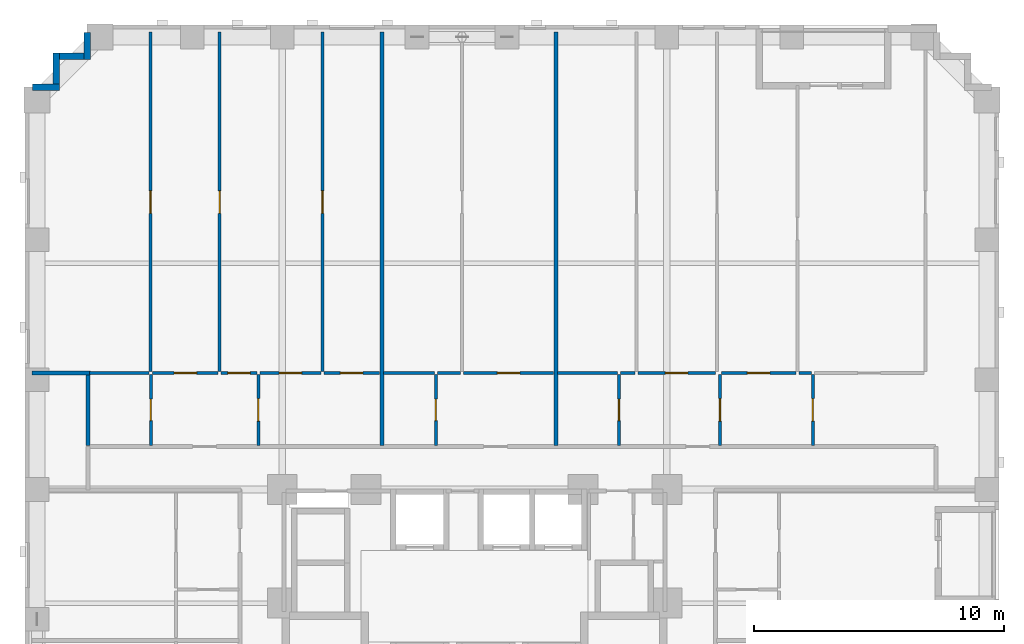
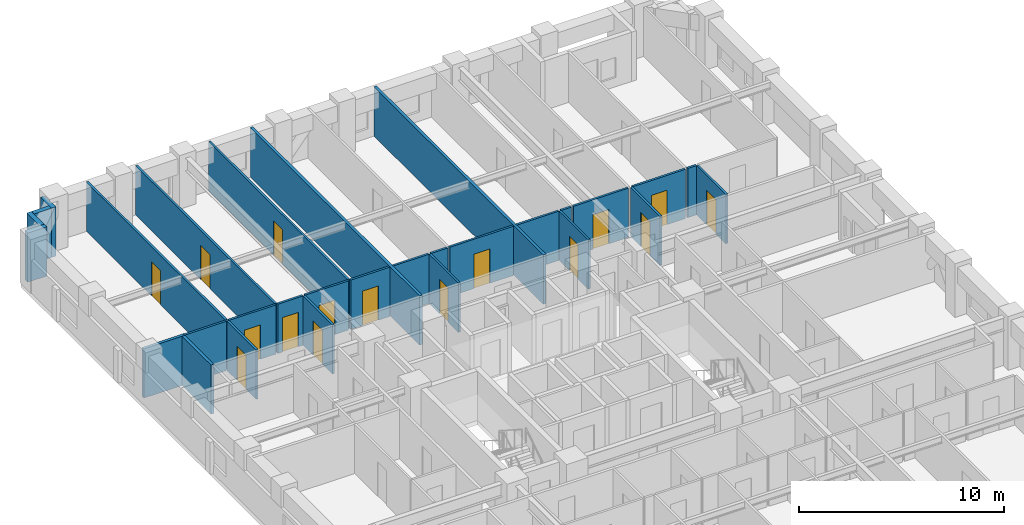
# One storey, part 7 of 13: 30 walls, 16 doors, 16 openings.
"""IFC4 building model written with IfcOpenShell, lengths in metres."""

from ifc_helpers import new_model, si_unit, derived_unit, direction, frame, frame_2d, origin, place, context, subcontext, project, spatial, rectangle, extrude, material, layer, layer_set, type_object, element, fill, save


model = new_model("IFC4")

# Units and contexts
model_context = context("Model", 3, precision=1e-05, world=origin(), true_north=direction((0.0, 1.0)))
body_context = subcontext(model_context, "Body", "Model", "MODEL_VIEW")
ifc_project = project(units=[si_unit("LENGTHUNIT", "METRE"), si_unit("AREAUNIT", "SQUARE_METRE"), si_unit("VOLUMEUNIT", "CUBIC_METRE"), si_unit("PLANEANGLEUNIT", "RADIAN"), si_unit("MASSUNIT", "GRAM", prefix="KILO"), derived_unit("THERMALTRANSMITTANCEUNIT", [(si_unit("MASSUNIT", "GRAM", prefix="KILO"), 1), (si_unit("TIMEUNIT", "SECOND"), -3), (si_unit("THERMODYNAMICTEMPERATUREUNIT", "KELVIN"), -1)])], contexts=[model_context])

# Site, building, storey
site_placement = place(None, origin())
site = spatial("IfcSite", under=ifc_project, at=site_placement, CompositionType="ELEMENT")
building_placement = place(site_placement, origin())
building = spatial("IfcBuilding", under=site, at=building_placement, Name="Korrvale Station Residences", CompositionType="ELEMENT")
storey_placement = place(building_placement, frame((0.0, 0.0, 35.39990234375)))
storey = spatial("IfcBuildingStorey", under=building, at=storey_placement, Name="L08", CompositionType="ELEMENT", Elevation=35.39990234375)

# Walls
ifc_material_1 = material(Name="Precast concrete C45/55", Category="concrete")
ifc_layer_1 = layer(ifc_material_1, 0.260009765625, Name="Precast concrete C45/55")
ifc_layer_set_1 = layer_set([ifc_layer_1], Name="Precast concrete C45/55")
wall_type_1 = type_object("IfcWallType", Name="WAL-EXT-LOG260", PredefinedType="SOLIDWALL", material=ifc_layer_set_1)
wall_1_placement = place(storey_placement, frame((7.802001953125, 45.10009765625, 0.0), z_axis=(0.0, 0.0, 1.0), x_axis=(1.0, 0.0, 0.0)))
element("IfcWall", 1, at=wall_1_placement, inside=storey, type_object=wall_type_1, Name="L08 Serrated Corner Precast Step NW-1", PredefinedType="SOLIDWALL", context=body_context, shape_type="SweptSolid", body=[
    extrude(rectangle(XDim=1.077880859375, YDim=0.260009765625, at=frame_2d((0.5390625, 0.0))), origin(), (0.0, 0.0, 1.0), 2.940185546875),
])
wall_2_placement = place(storey_placement, frame((8.75, 45.23193359375, 0.0), z_axis=(0.0, 0.0, 1.0), x_axis=(0.0, 1.0, 0.0)))
element("IfcWall", 2, at=wall_2_placement, inside=storey, type_object=wall_type_1, Name="L08 Serrated Corner Precast Step NW-2", PredefinedType="SOLIDWALL", context=body_context, shape_type="SweptSolid", body=[
    extrude(rectangle(XDim=1.248046875, YDim=0.260009765625, at=frame_2d((0.6240234375, 0.0))), origin(), (0.0, 0.0, 1.0), 2.940185546875),
])
wall_3_placement = place(storey_placement, frame((8.882080078125, 46.35009765625, 0.0), z_axis=(0.0, 0.0, 1.0), x_axis=(1.0, 0.0, 0.0)))
element("IfcWall", 3, at=wall_3_placement, inside=storey, type_object=wall_type_1, Name="L08 Serrated Corner Precast Step NW-3", PredefinedType="SOLIDWALL", context=body_context, shape_type="SweptSolid", body=[
    extrude(rectangle(XDim=0.98583984375, YDim=0.260009765625, at=frame_2d((0.492919921875, 0.0))), origin(), (0.0, 0.0, 1.0), 2.940185546875),
])
wall_4_placement = place(storey_placement, frame((10.0, 46.219970703125, 0.0), z_axis=(0.0, 0.0, 1.0), x_axis=(0.0, 1.0, 0.0)))
element("IfcWall", 4, at=wall_4_placement, inside=storey, type_object=wall_type_1, Name="L08 Serrated Corner Precast Step NW-4", PredefinedType="SOLIDWALL", context=body_context, shape_type="SweptSolid", body=[
    extrude(rectangle(XDim=1.078125, YDim=0.260009765625, at=frame_2d((0.5390625, 0.0))), origin(), (0.0, 0.0, 1.0), 2.940185546875),
])

# Wall, opening, door
ifc_material_2 = material(Name="Acoustic steel-stud gypsum board partition", Category="steel")
ifc_layer_2 = layer(ifc_material_2, 0.1201171875, Name="Acoustic steel-stud gypsum board partition")
ifc_layer_set_2 = layer_set([ifc_layer_2], Name="Acoustic steel-stud gypsum board partition")
wall_type_2 = type_object("IfcWallType", Name="WAL-PART-125", PredefinedType="PARTITIONING", material=ifc_layer_set_2)
wall_5_placement = place(storey_placement, frame((12.5400390625, 30.760009765625, 0.0), z_axis=(0.0, 0.0, 1.0), x_axis=(0.0, 1.0, 0.0)))
wall_5 = element("IfcWall", 5, at=wall_5_placement, inside=storey, type_object=wall_type_2, Name="L08 Suite Partition U04-V01", PredefinedType="PARTITIONING", context=body_context, shape_type="SweptSolid", body=[
    extrude(rectangle(XDim=2.85009765625, YDim=0.1201171875, at=frame_2d((1.425048828125, 0.0))), origin(), (0.0, 0.0, 1.0), 2.940185546875),
])
opening_1_placement = place(wall_5_placement, frame((0.9951171875, 0.0, 0.0)))
opening_1 = element("IfcOpeningElement", 6, at=opening_1_placement, cuts=wall_5, Name="Opening DB-860", PredefinedType="OPENING", context=body_context, shape_type="SweptSolid", body=[
    extrude(rectangle(XDim=0.860107421875, YDim=2.050048828125, at=frame_2d((0.43017578125, 1.02490234375))), frame((0.0, 0.070068359375, 0.0), z_axis=(0.0, -1.0, 0.0), x_axis=(1.0, 0.0, 0.0)), (0.0, 0.0, 1.0), 0.14013671875),
])
ifc_material_3 = material(Name="Moisture-resistant solid-core bathroom door", Category="timber")
door_type_1 = type_object("IfcDoorType", Name="DR-BATH-860", OperationType="NOTDEFINED", PredefinedType="DOOR", material=ifc_material_3)
door_1_placement = place(opening_1_placement, origin())
door_1 = element("IfcDoor", 7, at=door_1_placement, inside=storey, type_object=door_type_1, Name="L08 Apartment 1BR L08-U04 Bathroom Door", OperationType="SINGLE_SWING_RIGHT", OverallHeight=2.050048828125, OverallWidth=0.860107421875, PredefinedType="DOOR", context=body_context, shape_type="SweptSolid", body=[
    extrude(rectangle(XDim=0.860107421875, YDim=2.050048828125, at=frame_2d((0.43017578125, 1.02490234375))), frame((0.0, 0.02490234375, 0.0), z_axis=(0.0, -1.0, 0.0), x_axis=(1.0, 0.0, 0.0)), (0.0, 0.0, 1.0), 0.050048828125),
])
fill(opening_1, door_1)

# Wall
wall_6_placement = place(storey_placement, frame((10.080078125, 33.669921875, 0.0), z_axis=(0.0, 0.0, 1.0), x_axis=(1.0, 0.0, 0.0)))
element("IfcWall", 8, at=wall_6_placement, inside=storey, type_object=wall_type_2, Name="L08 Suite Partition U04-H03", PredefinedType="PARTITIONING", context=body_context, shape_type="SweptSolid", body=[
    extrude(rectangle(XDim=2.3818359375, YDim=0.1201171875, at=frame_2d((1.19091796875, 0.0))), origin(), (0.0, 0.0, 1.0), 2.940185546875),
])

# Wall, opening, door
wall_7_placement = place(storey_placement, frame((16.840087890625, 30.760009765625, 0.0), z_axis=(0.0, 0.0, 1.0), x_axis=(0.0, 1.0, 0.0)))
wall_7 = element("IfcWall", 9, at=wall_7_placement, inside=storey, type_object=wall_type_2, Name="L08 Suite Partition U04-V12", PredefinedType="PARTITIONING", context=body_context, shape_type="SweptSolid", body=[
    extrude(rectangle(XDim=2.85009765625, YDim=0.1201171875, at=frame_2d((1.425048828125, 0.0))), origin(), (0.0, 0.0, 1.0), 2.940185546875),
])
opening_2_placement = place(wall_7_placement, frame((0.97509765625, 0.0, 0.0)))
opening_2 = element("IfcOpeningElement", 10, at=opening_2_placement, cuts=wall_7, Name="Opening DI-900", PredefinedType="OPENING", context=body_context, shape_type="SweptSolid", body=[
    extrude(rectangle(XDim=0.89990234375, YDim=2.050048828125, at=frame_2d((0.449951171875, 1.02490234375))), frame((0.0, 0.070068359375, 0.0), z_axis=(0.0, -1.0, 0.0), x_axis=(1.0, 0.0, 0.0)), (0.0, 0.0, 1.0), 0.14013671875),
])
ifc_material_4 = material(Name="Painted solid-core timber interior room door", Category="wood")
door_type_2 = type_object("IfcDoorType", Name="DR-INT-900", OperationType="NOTDEFINED", PredefinedType="DOOR", material=ifc_material_4)
door_2_placement = place(opening_2_placement, origin())
door_2 = element("IfcDoor", 11, at=door_2_placement, inside=storey, type_object=door_type_2, Name="L08 Apartment 1BR L08-U04 Kitchen Door", OperationType="SINGLE_SWING_LEFT", OverallHeight=2.050048828125, OverallWidth=0.89990234375, PredefinedType="DOOR", context=body_context, shape_type="SweptSolid", body=[
    extrude(rectangle(XDim=0.89990234375, YDim=2.050048828125, at=frame_2d((0.449951171875, 1.02490234375))), frame((0.0, 0.02490234375, 0.0), z_axis=(0.0, -1.0, 0.0), x_axis=(1.0, 0.0, 0.0)), (0.0, 0.0, 1.0), 0.050048828125),
])
fill(opening_2, door_2)

wall_8_placement = place(storey_placement, frame((12.60009765625, 33.669921875, 0.0), z_axis=(0.0, 0.0, 1.0), x_axis=(1.0, 0.0, 0.0)))
wall_8 = element("IfcWall", 12, at=wall_8_placement, inside=storey, type_object=wall_type_2, Name="L08 Suite Partition U04-H14", PredefinedType="PARTITIONING", context=body_context, shape_type="SweptSolid", body=[
    extrude(rectangle(XDim=2.636962890625, YDim=0.1201171875, at=frame_2d((1.318359375, 0.0))), origin(), (0.0, 0.0, 1.0), 2.940185546875),
])
opening_3_placement = place(wall_8_placement, frame((0.867919921875, 0.0, 0.0)))
opening_3 = element("IfcOpeningElement", 13, at=opening_3_placement, cuts=wall_8, Name="Opening DI-900", PredefinedType="OPENING", context=body_context, shape_type="SweptSolid", body=[
    extrude(rectangle(XDim=0.89990234375, YDim=2.050048828125, at=frame_2d((0.449951171875, 1.02490234375))), frame((0.0, 0.070068359375, 0.0), z_axis=(0.0, -1.0, 0.0), x_axis=(1.0, 0.0, 0.0)), (0.0, 0.0, 1.0), 0.14013671875),
])
door_3_placement = place(opening_3_placement, origin())
door_3 = element("IfcDoor", 14, at=door_3_placement, inside=storey, type_object=door_type_2, Name="L08 Apartment 1BR L08-U04 Kitchen Door", OperationType="SINGLE_SWING_RIGHT", OverallHeight=2.050048828125, OverallWidth=0.89990234375, PredefinedType="DOOR", context=body_context, shape_type="SweptSolid", body=[
    extrude(rectangle(XDim=0.89990234375, YDim=2.050048828125, at=frame_2d((0.449951171875, 1.02490234375))), frame((0.0, 0.02490234375, 0.0), z_axis=(0.0, -1.0, 0.0), x_axis=(1.0, 0.0, 0.0)), (0.0, 0.0, 1.0), 0.050048828125),
])
fill(opening_3, door_3)

wall_9_placement = place(storey_placement, frame((15.35693359375, 33.669921875, 0.0), z_axis=(0.0, 0.0, 1.0), x_axis=(1.0, 0.0, 0.0)))
wall_9 = element("IfcWall", 15, at=wall_9_placement, inside=storey, type_object=wall_type_2, Name="L08 Suite Partition U04-H15", PredefinedType="PARTITIONING", context=body_context, shape_type="SweptSolid", body=[
    extrude(rectangle(XDim=1.423095703125, YDim=0.1201171875, at=frame_2d((0.71142578125, 0.0))), origin(), (0.0, 0.0, 1.0), 2.940185546875),
])
opening_4_placement = place(wall_9_placement, frame((0.261962890625, 0.0, 0.0)))
opening_4 = element("IfcOpeningElement", 16, at=opening_4_placement, cuts=wall_9, Name="Opening DI-900", PredefinedType="OPENING", context=body_context, shape_type="SweptSolid", body=[
    extrude(rectangle(XDim=0.89990234375, YDim=2.050048828125, at=frame_2d((0.449951171875, 1.02490234375))), frame((0.0, 0.070068359375, 0.0), z_axis=(0.0, -1.0, 0.0), x_axis=(1.0, 0.0, 0.0)), (0.0, 0.0, 1.0), 0.14013671875),
])
door_4_placement = place(opening_4_placement, origin())
door_4 = element("IfcDoor", 17, at=door_4_placement, inside=storey, type_object=door_type_2, Name="L08 Apartment 1BR L08-U04 Kitchen Door", OperationType="SINGLE_SWING_LEFT", OverallHeight=2.050048828125, OverallWidth=0.89990234375, PredefinedType="DOOR", context=body_context, shape_type="SweptSolid", body=[
    extrude(rectangle(XDim=0.89990234375, YDim=2.050048828125, at=frame_2d((0.449951171875, 1.02490234375))), frame((0.0, 0.02490234375, 0.0), z_axis=(0.0, -1.0, 0.0), x_axis=(1.0, 0.0, 0.0)), (0.0, 0.0, 1.0), 0.050048828125),
])
fill(opening_4, door_4)

wall_10_placement = place(storey_placement, frame((16.89990234375, 33.669921875, 0.0), z_axis=(0.0, 0.0, 1.0), x_axis=(1.0, 0.0, 0.0)))
wall_10 = element("IfcWall", 18, at=wall_10_placement, inside=storey, type_object=wall_type_2, Name="L08 Suite Partition U04-H25", PredefinedType="PARTITIONING", context=body_context, shape_type="SweptSolid", body=[
    extrude(rectangle(XDim=2.4541015625, YDim=0.1201171875, at=frame_2d((1.22705078125, 0.0))), origin(), (0.0, 0.0, 1.0), 2.940185546875),
])
opening_5_placement = place(wall_10_placement, frame((0.777099609375, 0.0, 0.0)))
opening_5 = element("IfcOpeningElement", 19, at=opening_5_placement, cuts=wall_10, Name="Opening DI-900", PredefinedType="OPENING", context=body_context, shape_type="SweptSolid", body=[
    extrude(rectangle(XDim=0.89990234375, YDim=2.050048828125, at=frame_2d((0.449951171875, 1.02490234375))), frame((0.0, 0.070068359375, 0.0), z_axis=(0.0, -1.0, 0.0), x_axis=(1.0, 0.0, 0.0)), (0.0, 0.0, 1.0), 0.14013671875),
])
door_5_placement = place(opening_5_placement, origin())
door_5 = element("IfcDoor", 20, at=door_5_placement, inside=storey, type_object=door_type_2, Name="L08 Apartment 1BR L08-U04 Utility and Laundry Room Door", OperationType="SINGLE_SWING_RIGHT", OverallHeight=2.050048828125, OverallWidth=0.89990234375, PredefinedType="DOOR", context=body_context, shape_type="SweptSolid", body=[
    extrude(rectangle(XDim=0.89990234375, YDim=2.050048828125, at=frame_2d((0.449951171875, 1.02490234375))), frame((0.0, 0.02490234375, 0.0), z_axis=(0.0, -1.0, 0.0), x_axis=(1.0, 0.0, 0.0)), (0.0, 0.0, 1.0), 0.050048828125),
])
fill(opening_5, door_5)

wall_11_placement = place(storey_placement, frame((19.47412109375, 33.669921875, 0.0), z_axis=(0.0, 0.0, 1.0), x_axis=(1.0, 0.0, 0.0)))
wall_11 = element("IfcWall", 21, at=wall_11_placement, inside=storey, type_object=wall_type_2, Name="L08 Suite Partition U04-H26", PredefinedType="PARTITIONING", context=body_context, shape_type="SweptSolid", body=[
    extrude(rectangle(XDim=2.2119140625, YDim=0.1201171875, at=frame_2d((1.10595703125, 0.0))), origin(), (0.0, 0.0, 1.0), 2.940185546875),
])
opening_6_placement = place(wall_11_placement, frame((0.656005859375, 0.0, 0.0)))
opening_6 = element("IfcOpeningElement", 22, at=opening_6_placement, cuts=wall_11, Name="Opening DI-900", PredefinedType="OPENING", context=body_context, shape_type="SweptSolid", body=[
    extrude(rectangle(XDim=0.89990234375, YDim=2.050048828125, at=frame_2d((0.449951171875, 1.02490234375))), frame((0.0, 0.070068359375, 0.0), z_axis=(0.0, -1.0, 0.0), x_axis=(1.0, 0.0, 0.0)), (0.0, 0.0, 1.0), 0.14013671875),
])
door_6_placement = place(opening_6_placement, origin())
door_6 = element("IfcDoor", 23, at=door_6_placement, inside=storey, type_object=door_type_2, Name="L08 Apartment 1BR L08-U04 Utility and Laundry Room Door", OperationType="SINGLE_SWING_LEFT", OverallHeight=2.050048828125, OverallWidth=0.89990234375, PredefinedType="DOOR", context=body_context, shape_type="SweptSolid", body=[
    extrude(rectangle(XDim=0.89990234375, YDim=2.050048828125, at=frame_2d((0.449951171875, 1.02490234375))), frame((0.0, 0.02490234375, 0.0), z_axis=(0.0, -1.0, 0.0), x_axis=(1.0, 0.0, 0.0)), (0.0, 0.0, 1.0), 0.050048828125),
])
fill(opening_6, door_6)

wall_12_placement = place(storey_placement, frame((12.52197265625, 33.72998046875, 0.0), z_axis=(0.0, 0.0, 1.0), x_axis=(0.0, 1.0, 0.0)))
wall_12 = element("IfcWall", 24, at=wall_12_placement, inside=storey, type_object=wall_type_2, Name="L08 Suite Partition U04-V34", PredefinedType="PARTITIONING", context=body_context, shape_type="SweptSolid", body=[
    extrude(rectangle(XDim=13.590087890625, YDim=0.1201171875, at=frame_2d((6.794921875, 0.0))), origin(), (0.0, 0.0, 1.0), 2.940185546875),
])
opening_7_placement = place(wall_12_placement, frame((6.330078125, 0.0, 0.0)))
opening_7 = element("IfcOpeningElement", 25, at=opening_7_placement, cuts=wall_12, Name="Opening DI-900", PredefinedType="OPENING", context=body_context, shape_type="SweptSolid", body=[
    extrude(rectangle(XDim=0.89990234375, YDim=2.050048828125, at=frame_2d((0.449951171875, 1.02490234375))), frame((0.0, 0.070068359375, 0.0), z_axis=(0.0, -1.0, 0.0), x_axis=(1.0, 0.0, 0.0)), (0.0, 0.0, 1.0), 0.14013671875),
])
door_7_placement = place(opening_7_placement, origin())
door_7 = element("IfcDoor", 26, at=door_7_placement, inside=storey, type_object=door_type_2, Name="L08 Apartment 1BR L08-U04 Living and Dining Room Door", OperationType="SINGLE_SWING_RIGHT", OverallHeight=2.050048828125, OverallWidth=0.89990234375, PredefinedType="DOOR", context=body_context, shape_type="SweptSolid", body=[
    extrude(rectangle(XDim=0.89990234375, YDim=2.050048828125, at=frame_2d((0.449951171875, 1.02490234375))), frame((0.0, 0.02490234375, 0.0), z_axis=(0.0, -1.0, 0.0), x_axis=(1.0, 0.0, 0.0)), (0.0, 0.0, 1.0), 0.050048828125),
])
fill(opening_7, door_7)

wall_13_placement = place(storey_placement, frame((15.297119140625, 33.72998046875, 0.0), z_axis=(0.0, 0.0, 1.0), x_axis=(0.0, 1.0, 0.0)))
wall_13 = element("IfcWall", 27, at=wall_13_placement, inside=storey, type_object=wall_type_2, Name="L08 Suite Partition U04-V45", PredefinedType="PARTITIONING", context=body_context, shape_type="SweptSolid", body=[
    extrude(rectangle(XDim=13.590087890625, YDim=0.1201171875, at=frame_2d((6.794921875, 0.0))), origin(), (0.0, 0.0, 1.0), 2.940185546875),
])
opening_8_placement = place(wall_13_placement, frame((6.330078125, 0.0, 0.0)))
opening_8 = element("IfcOpeningElement", 28, at=opening_8_placement, cuts=wall_13, Name="Opening DI-900", PredefinedType="OPENING", context=body_context, shape_type="SweptSolid", body=[
    extrude(rectangle(XDim=0.89990234375, YDim=2.050048828125, at=frame_2d((0.449951171875, 1.02490234375))), frame((0.0, 0.070068359375, 0.0), z_axis=(0.0, -1.0, 0.0), x_axis=(1.0, 0.0, 0.0)), (0.0, 0.0, 1.0), 0.14013671875),
])
door_8_placement = place(opening_8_placement, origin())
door_8 = element("IfcDoor", 29, at=door_8_placement, inside=storey, type_object=door_type_2, Name="L08 Apartment 1BR L08-U04 Wardrobe Storage Room Door", OperationType="SINGLE_SWING_LEFT", OverallHeight=2.050048828125, OverallWidth=0.89990234375, PredefinedType="DOOR", context=body_context, shape_type="SweptSolid", body=[
    extrude(rectangle(XDim=0.89990234375, YDim=2.050048828125, at=frame_2d((0.449951171875, 1.02490234375))), frame((0.0, 0.02490234375, 0.0), z_axis=(0.0, -1.0, 0.0), x_axis=(1.0, 0.0, 0.0)), (0.0, 0.0, 1.0), 0.050048828125),
])
fill(opening_8, door_8)

wall_14_placement = place(storey_placement, frame((19.4140625, 33.72998046875, 0.0), z_axis=(0.0, 0.0, 1.0), x_axis=(0.0, 1.0, 0.0)))
wall_14 = element("IfcWall", 30, at=wall_14_placement, inside=storey, type_object=wall_type_2, Name="L08 Suite Partition U04-V56", PredefinedType="PARTITIONING", context=body_context, shape_type="SweptSolid", body=[
    extrude(rectangle(XDim=13.590087890625, YDim=0.1201171875, at=frame_2d((6.794921875, 0.0))), origin(), (0.0, 0.0, 1.0), 2.940185546875),
])
opening_9_placement = place(wall_14_placement, frame((6.330078125, 0.0, 0.0)))
opening_9 = element("IfcOpeningElement", 31, at=opening_9_placement, cuts=wall_14, Name="Opening DI-900", PredefinedType="OPENING", context=body_context, shape_type="SweptSolid", body=[
    extrude(rectangle(XDim=0.89990234375, YDim=2.050048828125, at=frame_2d((0.449951171875, 1.02490234375))), frame((0.0, 0.070068359375, 0.0), z_axis=(0.0, -1.0, 0.0), x_axis=(1.0, 0.0, 0.0)), (0.0, 0.0, 1.0), 0.14013671875),
])
door_9_placement = place(opening_9_placement, origin())
door_9 = element("IfcDoor", 32, at=door_9_placement, inside=storey, type_object=door_type_2, Name="L08 Apartment 1BR L08-U04 Family Lounge Room Door", OperationType="SINGLE_SWING_RIGHT", OverallHeight=2.050048828125, OverallWidth=0.89990234375, PredefinedType="DOOR", context=body_context, shape_type="SweptSolid", body=[
    extrude(rectangle(XDim=0.89990234375, YDim=2.050048828125, at=frame_2d((0.449951171875, 1.02490234375))), frame((0.0, 0.02490234375, 0.0), z_axis=(0.0, -1.0, 0.0), x_axis=(1.0, 0.0, 0.0)), (0.0, 0.0, 1.0), 0.050048828125),
])
fill(opening_9, door_9)

wall_15_placement = place(storey_placement, frame((23.950927734375, 30.760009765625, 0.0), z_axis=(0.0, 0.0, 1.0), x_axis=(0.0, 1.0, 0.0)))
wall_15 = element("IfcWall", 33, at=wall_15_placement, inside=storey, type_object=wall_type_2, Name="L08 Suite Partition U05-V01", PredefinedType="PARTITIONING", context=body_context, shape_type="SweptSolid", body=[
    extrude(rectangle(XDim=2.85009765625, YDim=0.1201171875, at=frame_2d((1.425048828125, 0.0))), origin(), (0.0, 0.0, 1.0), 2.940185546875),
])
opening_10_placement = place(wall_15_placement, frame((0.9951171875, 0.0, 0.0)))
opening_10 = element("IfcOpeningElement", 34, at=opening_10_placement, cuts=wall_15, Name="Opening DB-860", PredefinedType="OPENING", context=body_context, shape_type="SweptSolid", body=[
    extrude(rectangle(XDim=0.860107421875, YDim=2.050048828125, at=frame_2d((0.43017578125, 1.02490234375))), frame((0.0, 0.070068359375, 0.0), z_axis=(0.0, -1.0, 0.0), x_axis=(1.0, 0.0, 0.0)), (0.0, 0.0, 1.0), 0.14013671875),
])
door_10_placement = place(opening_10_placement, origin())
door_10 = element("IfcDoor", 35, at=door_10_placement, inside=storey, type_object=door_type_1, Name="L08 Studio Apartment L08-U05 Bathroom Door", OperationType="SINGLE_SWING_LEFT", OverallHeight=2.050048828125, OverallWidth=0.860107421875, PredefinedType="DOOR", context=body_context, shape_type="SweptSolid", body=[
    extrude(rectangle(XDim=0.860107421875, YDim=2.050048828125, at=frame_2d((0.43017578125, 1.02490234375))), frame((0.0, 0.02490234375, 0.0), z_axis=(0.0, -1.0, 0.0), x_axis=(1.0, 0.0, 0.0)), (0.0, 0.0, 1.0), 0.050048828125),
])
fill(opening_10, door_10)

# Walls
wall_16_placement = place(storey_placement, frame((21.845947265625, 33.669921875, 0.0), z_axis=(0.0, 0.0, 1.0), x_axis=(1.0, 0.0, 0.0)))
element("IfcWall", 36, at=wall_16_placement, inside=storey, type_object=wall_type_2, Name="L08 Suite Partition U05-H02", PredefinedType="PARTITIONING", context=body_context, shape_type="SweptSolid", body=[
    extrude(rectangle(XDim=2.045166015625, YDim=0.1201171875, at=frame_2d((1.0224609375, 0.0))), origin(), (0.0, 0.0, 1.0), 2.940185546875),
])
wall_17_placement = place(storey_placement, frame((24.010986328125, 33.669921875, 0.0), z_axis=(0.0, 0.0, 1.0), x_axis=(1.0, 0.0, 0.0)))
element("IfcWall", 37, at=wall_17_placement, inside=storey, type_object=wall_type_2, Name="L08 Suite Partition U05-H12", PredefinedType="PARTITIONING", context=body_context, shape_type="SweptSolid", body=[
    extrude(rectangle(XDim=0.93505859375, YDim=0.1201171875, at=frame_2d((0.467529296875, 0.0))), origin(), (0.0, 0.0, 1.0), 2.940185546875),
])

# Wall, opening, door
wall_18_placement = place(storey_placement, frame((25.06591796875, 33.669921875, 0.0), z_axis=(0.0, 0.0, 1.0), x_axis=(1.0, 0.0, 0.0)))
wall_18 = element("IfcWall", 38, at=wall_18_placement, inside=storey, type_object=wall_type_2, Name="L08 Suite Partition U05-H13", PredefinedType="PARTITIONING", context=body_context, shape_type="SweptSolid", body=[
    extrude(rectangle(XDim=3.59814453125, YDim=0.1201171875, at=frame_2d((1.799072265625, 0.0))), origin(), (0.0, 0.0, 1.0), 2.940185546875),
])
opening_11_placement = place(wall_18_placement, frame((1.34912109375, 0.0, 0.0)))
opening_11 = element("IfcOpeningElement", 39, at=opening_11_placement, cuts=wall_18, Name="Opening DI-900", PredefinedType="OPENING", context=body_context, shape_type="SweptSolid", body=[
    extrude(rectangle(XDim=0.89990234375, YDim=2.050048828125, at=frame_2d((0.449951171875, 1.02490234375))), frame((0.0, 0.070068359375, 0.0), z_axis=(0.0, -1.0, 0.0), x_axis=(1.0, 0.0, 0.0)), (0.0, 0.0, 1.0), 0.14013671875),
])
door_11_placement = place(opening_11_placement, origin())
door_11 = element("IfcDoor", 40, at=door_11_placement, inside=storey, type_object=door_type_2, Name="L08 Studio Apartment L08-U05 Kitchen Door", OperationType="SINGLE_SWING_RIGHT", OverallHeight=2.050048828125, OverallWidth=0.89990234375, PredefinedType="DOOR", context=body_context, shape_type="SweptSolid", body=[
    extrude(rectangle(XDim=0.89990234375, YDim=2.050048828125, at=frame_2d((0.449951171875, 1.02490234375))), frame((0.0, 0.02490234375, 0.0), z_axis=(0.0, -1.0, 0.0), x_axis=(1.0, 0.0, 0.0)), (0.0, 0.0, 1.0), 0.050048828125),
])
fill(opening_11, door_11)

wall_19_placement = place(storey_placement, frame((31.283935546875, 30.760009765625, 0.0), z_axis=(0.0, 0.0, 1.0), x_axis=(0.0, 1.0, 0.0)))
wall_19 = element("IfcWall", 41, at=wall_19_placement, inside=storey, type_object=wall_type_2, Name="L08 Suite Partition U06-V01", PredefinedType="PARTITIONING", context=body_context, shape_type="SweptSolid", body=[
    extrude(rectangle(XDim=2.85009765625, YDim=0.1201171875, at=frame_2d((1.425048828125, 0.0))), origin(), (0.0, 0.0, 1.0), 2.940185546875),
])
opening_12_placement = place(wall_19_placement, frame((0.9951171875, 0.0, 0.0)))
opening_12 = element("IfcOpeningElement", 42, at=opening_12_placement, cuts=wall_19, Name="Opening DB-860", PredefinedType="OPENING", context=body_context, shape_type="SweptSolid", body=[
    extrude(rectangle(XDim=0.860107421875, YDim=2.050048828125, at=frame_2d((0.43017578125, 1.02490234375))), frame((0.0, 0.070068359375, 0.0), z_axis=(0.0, -1.0, 0.0), x_axis=(1.0, 0.0, 0.0)), (0.0, 0.0, 1.0), 0.14013671875),
])
door_12_placement = place(opening_12_placement, origin())
door_12 = element("IfcDoor", 43, at=door_12_placement, inside=storey, type_object=door_type_1, Name="L08 Studio Apartment L08-U06 Bathroom Door", OperationType="SINGLE_SWING_RIGHT", OverallHeight=2.050048828125, OverallWidth=0.860107421875, PredefinedType="DOOR", context=body_context, shape_type="SweptSolid", body=[
    extrude(rectangle(XDim=0.860107421875, YDim=2.050048828125, at=frame_2d((0.43017578125, 1.02490234375))), frame((0.0, 0.02490234375, 0.0), z_axis=(0.0, -1.0, 0.0), x_axis=(1.0, 0.0, 0.0)), (0.0, 0.0, 1.0), 0.050048828125),
])
fill(opening_12, door_12)

# Wall
wall_20_placement = place(storey_placement, frame((28.823974609375, 33.669921875, 0.0), z_axis=(0.0, 0.0, 1.0), x_axis=(1.0, 0.0, 0.0)))
element("IfcWall", 44, at=wall_20_placement, inside=storey, type_object=wall_type_2, Name="L08 Suite Partition U06-H04", PredefinedType="PARTITIONING", context=body_context, shape_type="SweptSolid", body=[
    extrude(rectangle(XDim=2.400146484375, YDim=0.1201171875, at=frame_2d((1.2001953125, 0.0))), origin(), (0.0, 0.0, 1.0), 2.940185546875),
])

# Wall, opening, door
wall_21_placement = place(storey_placement, frame((35.323974609375, 30.760009765625, 0.0), z_axis=(0.0, 0.0, 1.0), x_axis=(0.0, 1.0, 0.0)))
wall_21 = element("IfcWall", 45, at=wall_21_placement, inside=storey, type_object=wall_type_2, Name="L08 Suite Partition U06-V12", PredefinedType="PARTITIONING", context=body_context, shape_type="SweptSolid", body=[
    extrude(rectangle(XDim=2.85009765625, YDim=0.1201171875, at=frame_2d((1.425048828125, 0.0))), origin(), (0.0, 0.0, 1.0), 2.940185546875),
])
opening_13_placement = place(wall_21_placement, frame((0.97509765625, 0.0, 0.0)))
opening_13 = element("IfcOpeningElement", 46, at=opening_13_placement, cuts=wall_21, Name="Opening DI-900", PredefinedType="OPENING", context=body_context, shape_type="SweptSolid", body=[
    extrude(rectangle(XDim=0.89990234375, YDim=2.050048828125, at=frame_2d((0.449951171875, 1.02490234375))), frame((0.0, 0.070068359375, 0.0), z_axis=(0.0, -1.0, 0.0), x_axis=(1.0, 0.0, 0.0)), (0.0, 0.0, 1.0), 0.14013671875),
])
door_13_placement = place(opening_13_placement, origin())
door_13 = element("IfcDoor", 47, at=door_13_placement, inside=storey, type_object=door_type_2, Name="L08 Studio Apartment L08-U06 Kitchen Door", OperationType="SINGLE_SWING_LEFT", OverallHeight=2.050048828125, OverallWidth=0.89990234375, PredefinedType="DOOR", context=body_context, shape_type="SweptSolid", body=[
    extrude(rectangle(XDim=0.89990234375, YDim=2.050048828125, at=frame_2d((0.449951171875, 1.02490234375))), frame((0.0, 0.02490234375, 0.0), z_axis=(0.0, -1.0, 0.0), x_axis=(1.0, 0.0, 0.0)), (0.0, 0.0, 1.0), 0.050048828125),
])
fill(opening_13, door_13)

# Wall
wall_22_placement = place(storey_placement, frame((31.343994140625, 33.669921875, 0.0), z_axis=(0.0, 0.0, 1.0), x_axis=(1.0, 0.0, 0.0)))
element("IfcWall", 48, at=wall_22_placement, inside=storey, type_object=wall_type_2, Name="L08 Suite Partition U06-H14", PredefinedType="PARTITIONING", context=body_context, shape_type="SweptSolid", body=[
    extrude(rectangle(XDim=0.580078125, YDim=0.1201171875, at=frame_2d((0.2900390625, 0.0))), origin(), (0.0, 0.0, 1.0), 2.940185546875),
])

# Wall, opening, door
wall_23_placement = place(storey_placement, frame((32.0439453125, 33.669921875, 0.0), z_axis=(0.0, 0.0, 1.0), x_axis=(1.0, 0.0, 0.0)))
wall_23 = element("IfcWall", 49, at=wall_23_placement, inside=storey, type_object=wall_type_2, Name="L08 Suite Partition U06-H15", PredefinedType="PARTITIONING", context=body_context, shape_type="SweptSolid", body=[
    extrude(rectangle(XDim=3.10009765625, YDim=0.1201171875, at=frame_2d((1.550048828125, 0.0))), origin(), (0.0, 0.0, 1.0), 2.940185546875),
])
opening_14_placement = place(wall_23_placement, frame((1.10009765625, 0.0, 0.0)))
opening_14 = element("IfcOpeningElement", 50, at=opening_14_placement, cuts=wall_23, Name="Opening DI-900", PredefinedType="OPENING", context=body_context, shape_type="SweptSolid", body=[
    extrude(rectangle(XDim=0.89990234375, YDim=2.050048828125, at=frame_2d((0.449951171875, 1.02490234375))), frame((0.0, 0.070068359375, 0.0), z_axis=(0.0, -1.0, 0.0), x_axis=(1.0, 0.0, 0.0)), (0.0, 0.0, 1.0), 0.14013671875),
])
door_14_placement = place(opening_14_placement, origin())
door_14 = element("IfcDoor", 51, at=door_14_placement, inside=storey, type_object=door_type_2, Name="L08 Studio Apartment L08-U06 Kitchen Door", OperationType="SINGLE_SWING_RIGHT", OverallHeight=2.050048828125, OverallWidth=0.89990234375, PredefinedType="DOOR", context=body_context, shape_type="SweptSolid", body=[
    extrude(rectangle(XDim=0.89990234375, YDim=2.050048828125, at=frame_2d((0.449951171875, 1.02490234375))), frame((0.0, 0.02490234375, 0.0), z_axis=(0.0, -1.0, 0.0), x_axis=(1.0, 0.0, 0.0)), (0.0, 0.0, 1.0), 0.050048828125),
])
fill(opening_14, door_14)

wall_24_placement = place(storey_placement, frame((39.0439453125, 30.760009765625, 0.0), z_axis=(0.0, 0.0, 1.0), x_axis=(0.0, 1.0, 0.0)))
wall_24 = element("IfcWall", 52, at=wall_24_placement, inside=storey, type_object=wall_type_2, Name="L08 Suite Partition U06-V23", PredefinedType="PARTITIONING", context=body_context, shape_type="SweptSolid", body=[
    extrude(rectangle(XDim=2.85009765625, YDim=0.1201171875, at=frame_2d((1.425048828125, 0.0))), origin(), (0.0, 0.0, 1.0), 2.940185546875),
])
opening_15_placement = place(wall_24_placement, frame((0.97509765625, 0.0, 0.0)))
opening_15 = element("IfcOpeningElement", 53, at=opening_15_placement, cuts=wall_24, Name="Opening DI-900", PredefinedType="OPENING", context=body_context, shape_type="SweptSolid", body=[
    extrude(rectangle(XDim=0.89990234375, YDim=2.050048828125, at=frame_2d((0.449951171875, 1.02490234375))), frame((0.0, 0.070068359375, 0.0), z_axis=(0.0, -1.0, 0.0), x_axis=(1.0, 0.0, 0.0)), (0.0, 0.0, 1.0), 0.14013671875),
])
door_15_placement = place(opening_15_placement, origin())
door_15 = element("IfcDoor", 54, at=door_15_placement, inside=storey, type_object=door_type_2, Name="L08 Studio Apartment L08-U06 Utility and Laundry Room Door", OperationType="SINGLE_SWING_LEFT", OverallHeight=2.050048828125, OverallWidth=0.89990234375, PredefinedType="DOOR", context=body_context, shape_type="SweptSolid", body=[
    extrude(rectangle(XDim=0.89990234375, YDim=2.050048828125, at=frame_2d((0.449951171875, 1.02490234375))), frame((0.0, 0.02490234375, 0.0), z_axis=(0.0, -1.0, 0.0), x_axis=(1.0, 0.0, 0.0)), (0.0, 0.0, 1.0), 0.050048828125),
])
fill(opening_15, door_15)

wall_25_placement = place(storey_placement, frame((35.384033203125, 33.669921875, 0.0), z_axis=(0.0, 0.0, 1.0), x_axis=(1.0, 0.0, 0.0)))
wall_25 = element("IfcWall", 55, at=wall_25_placement, inside=storey, type_object=wall_type_2, Name="L08 Suite Partition U06-H26", PredefinedType="PARTITIONING", context=body_context, shape_type="SweptSolid", body=[
    extrude(rectangle(XDim=2.97998046875, YDim=0.1201171875, at=frame_2d((1.489990234375, 0.0))), origin(), (0.0, 0.0, 1.0), 2.940185546875),
])
opening_16_placement = place(wall_25_placement, frame((1.0400390625, 0.0, 0.0)))
opening_16 = element("IfcOpeningElement", 56, at=opening_16_placement, cuts=wall_25, Name="Opening DI-900", PredefinedType="OPENING", context=body_context, shape_type="SweptSolid", body=[
    extrude(rectangle(XDim=0.89990234375, YDim=2.050048828125, at=frame_2d((0.449951171875, 1.02490234375))), frame((0.0, 0.070068359375, 0.0), z_axis=(0.0, -1.0, 0.0), x_axis=(1.0, 0.0, 0.0)), (0.0, 0.0, 1.0), 0.14013671875),
])
door_16_placement = place(opening_16_placement, origin())
door_16 = element("IfcDoor", 57, at=door_16_placement, inside=storey, type_object=door_type_2, Name="L08 Studio Apartment L08-U06 Utility and Laundry Room Door", OperationType="SINGLE_SWING_RIGHT", OverallHeight=2.050048828125, OverallWidth=0.89990234375, PredefinedType="DOOR", context=body_context, shape_type="SweptSolid", body=[
    extrude(rectangle(XDim=0.89990234375, YDim=2.050048828125, at=frame_2d((0.449951171875, 1.02490234375))), frame((0.0, 0.02490234375, 0.0), z_axis=(0.0, -1.0, 0.0), x_axis=(1.0, 0.0, 0.0)), (0.0, 0.0, 1.0), 0.050048828125),
])
fill(opening_16, door_16)

# Walls
wall_26_placement = place(storey_placement, frame((38.48388671875, 33.669921875, 0.0), z_axis=(0.0, 0.0, 1.0), x_axis=(1.0, 0.0, 0.0)))
element("IfcWall", 58, at=wall_26_placement, inside=storey, type_object=wall_type_2, Name="L08 Suite Partition U06-H27", PredefinedType="PARTITIONING", context=body_context, shape_type="SweptSolid", body=[
    extrude(rectangle(XDim=0.5, YDim=0.1201171875, at=frame_2d((0.25, 0.0))), origin(), (0.0, 0.0, 1.0), 2.940185546875),
])
ifc_material_5 = material(Name="Fire-rated twin-stud gypsum and mineral wool shaftwall assembly", Category="gypsum")
ifc_layer_3 = layer(ifc_material_5, 0.159912109375, Name="Fire-rated twin-stud gypsum and mineral wool shaftwall assembly")
ifc_layer_set_3 = layer_set([ifc_layer_3], Name="Fire-rated twin-stud gypsum and mineral wool shaftwall assembly")
wall_type_3 = type_object("IfcWallType", Name="WAL-PART-200", PredefinedType="PARTITIONING", material=ifc_layer_set_3)
wall_27_placement = place(storey_placement, frame((7.780029296875, 33.669921875, 0.0), z_axis=(0.0, 0.0, 1.0), x_axis=(1.0, 0.0, 0.0)))
element("IfcWall", 59, at=wall_27_placement, inside=storey, type_object=wall_type_3, Name="L08 Corner Step Wall U04-L", PredefinedType="PARTITIONING", context=body_context, shape_type="SweptSolid", body=[
    extrude(rectangle(XDim=2.340087890625, YDim=0.159912109375, at=frame_2d((1.169921875, 0.0))), origin(), (0.0, 0.0, 1.0), 2.940185546875),
])
wall_28_placement = place(storey_placement, frame((10.02001953125, 30.760009765625, 0.0), z_axis=(0.0, 0.0, 1.0), x_axis=(0.0, 1.0, 0.0)))
element("IfcWall", 60, at=wall_28_placement, inside=storey, type_object=wall_type_3, Name="L08 Corner Step Cheek U04-L", PredefinedType="PARTITIONING", context=body_context, shape_type="SweptSolid", body=[
    extrude(rectangle(XDim=2.909912109375, YDim=0.159912109375, at=frame_2d((1.455078125, 0.0))), origin(), (0.0, 0.0, 1.0), 2.940185546875),
])
for number, where, z_axis, x_axis, name in (
    (61, (21.785888671875, 30.760009765625, 0.0), (0.0, 0.0, 1.0), (0.0, 1.0, 0.0), "L08 Demising Wall U05-W"),
    (62, (28.763916015625, 30.760009765625, 0.0), (0.0, 0.0, 1.0), (0.0, 1.0, 0.0), "L08 Demising Wall U06-W"),
):
    element("IfcWall", number, at=place(storey_placement, frame(where, z_axis=z_axis, x_axis=x_axis)), inside=storey, type_object=wall_type_3, Name=name, PredefinedType="PARTITIONING", context=body_context, shape_type="SweptSolid", body=[
        extrude(rectangle(XDim=16.56005859375, YDim=0.159912109375, at=frame_2d((8.280029296875, 0.0))), origin(), (0.0, 0.0, 1.0), 2.940185546875),
    ])

save(model, "model.ifc")
